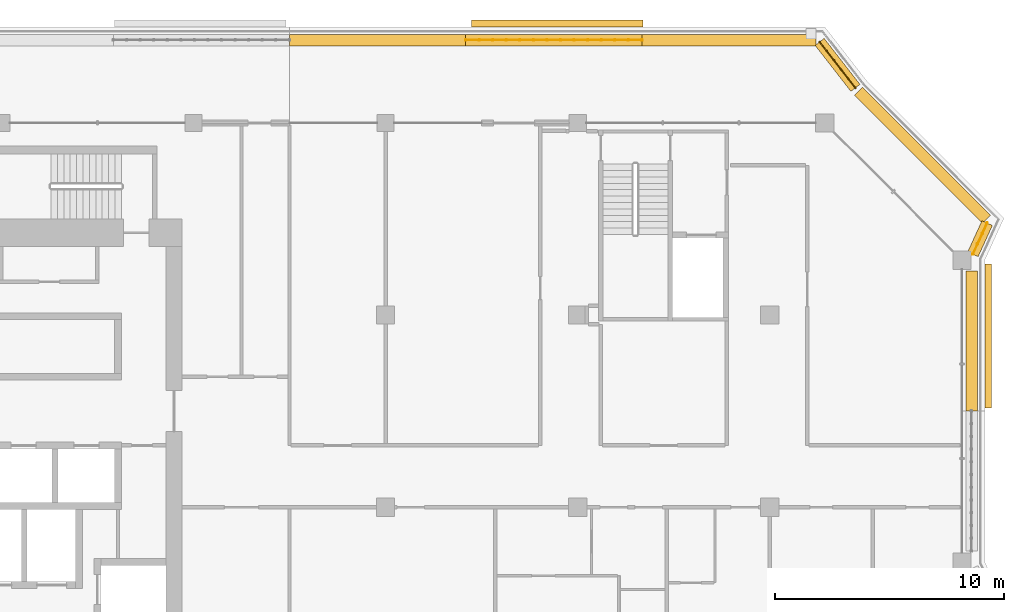
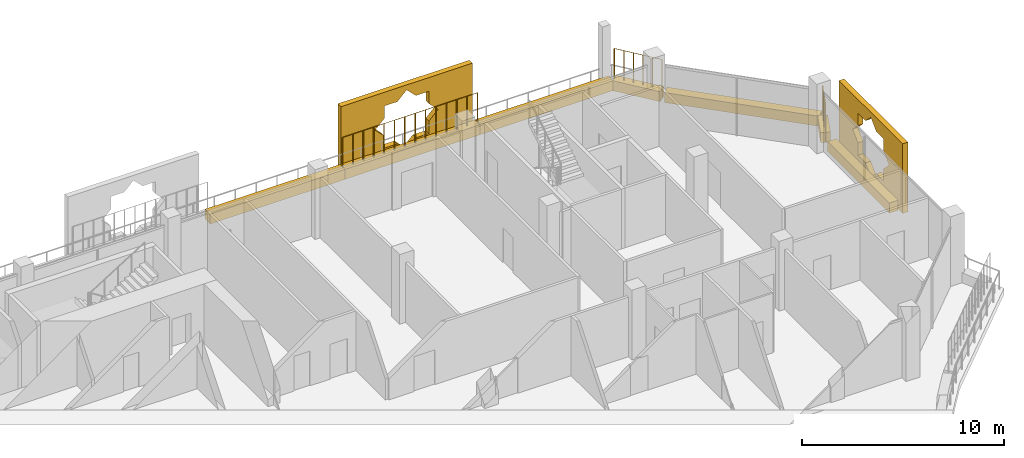
# One storey, part 21 of 21: 9 coverings, 3 railings.
"""IFC4 building model written with IfcOpenShell, lengths in metres."""

from ifc_helpers import new_model, si_unit, direction, frame, origin, origin_2d, place, context, subcontext, project, spatial, polyline, rectangle, circle, outline, extrude, material, material_profile, profile_set, type_object, element, save


model = new_model("IFC4")

# Units and contexts
model_context = context("Model", 3, precision=1e-05, world=origin(), true_north=direction((0.0, 1.0)))
body_context = subcontext(model_context, "Body", "Model", "MODEL_VIEW")
ifc_project = project(units=[si_unit("LENGTHUNIT", "METRE"), si_unit("AREAUNIT", "SQUARE_METRE"), si_unit("VOLUMEUNIT", "CUBIC_METRE"), si_unit("PLANEANGLEUNIT", "RADIAN"), si_unit("MASSUNIT", "GRAM", prefix="KILO")], contexts=[model_context])

# Site, building, storey
site_placement = place(None, origin())
site = spatial("IfcSite", under=ifc_project, at=site_placement, CompositionType="ELEMENT")
building_placement = place(site_placement, origin())
building = spatial("IfcBuilding", under=site, at=building_placement, Name="Kawkab Arch Medical Tower", CompositionType="ELEMENT")
storey_placement = place(building_placement, frame((0.0, 0.0, 315.39990234375)))
storey = spatial("IfcBuildingStorey", under=building, at=storey_placement, Name="L73", CompositionType="ELEMENT", Elevation=315.39990234375)

# Coverings
ifc_material_1 = material(Name="Bronze anodised aluminium mashrabiya panel, eight-point star pattern", Category="aluminium")
ifc_material_profile_1 = material_profile(ifc_material_1, outline(polyline([(-3.14990234375, -2.10009765625), (3.14990234375, -2.10009765625), (3.14990234375, 2.10009765625), (-3.14990234375, 2.10009765625), (-3.14990234375, -2.10009765625)]), holes=[polyline([(1.800048828125, 0.0), (1.272705078125, 0.527099609375), (1.272705078125, 1.272705078125), (0.527099609375, 1.272705078125), (0.0, 1.800048828125), (-0.527099609375, 1.272705078125), (-1.272705078125, 1.272705078125), (-1.272705078125, 0.527099609375), (-1.800048828125, 0.0), (-1.272705078125, -0.527099609375), (-1.272705078125, -1.272705078125), (-0.527099609375, -1.272705078125), (0.0, -1.800048828125), (0.527099609375, -1.272705078125), (1.272705078125, -1.272705078125), (1.272705078125, -0.527099609375), (1.800048828125, 0.0)])]), Name="Mashrabiya panel 6300x4200")
ifc_profile_set_1 = profile_set([ifc_material_profile_1], Name="Bronze anodised aluminium mashrabiya panel, eight-point star pattern")
covering_type_1 = type_object("IfcCoveringType", Name="Mashrabiya panel 6300 x 4200", PredefinedType="USERDEFINED", material=ifc_profile_set_1)
covering_1_placement = place(storey_placement, frame((59.800048828125, -9.31884765625, 1.7001953125), z_axis=(1.0, 0.0, 0.0), x_axis=(0.0, 1.0, 0.0)))
element("IfcCovering", 1, at=covering_1_placement, inside=storey, type_object=covering_type_1, Name="Mashrabiya panel L73.LOG-01-01.6", ObjectType="SCREEN", PredefinedType="USERDEFINED", context=body_context, shape_type="SweptSolid", body=[
    extrude(outline(polyline([(-3.14990234375, -2.10009765625), (3.14990234375, -2.10009765625), (3.14990234375, 2.10009765625), (-3.14990234375, 2.10009765625), (-3.14990234375, -2.10009765625)]), holes=[polyline([(1.800048828125, 0.0), (1.272705078125, 0.527099609375), (1.272705078125, 1.272705078125), (0.527099609375, 1.272705078125), (0.0, 1.800048828125), (-0.527099609375, 1.272705078125), (-1.272705078125, 1.272705078125), (-1.272705078125, 0.527099609375), (-1.800048828125, 0.0), (-1.272705078125, -0.527099609375), (-1.272705078125, -1.272705078125), (-0.527099609375, -1.272705078125), (0.0, -1.800048828125), (0.527099609375, -1.272705078125), (1.272705078125, -1.272705078125), (1.272705078125, -0.527099609375), (1.800048828125, 0.0)])]), origin(), (0.0, 0.0, 1.0), 0.300048828125),
])
ifc_material_2 = material(Name="Bronze anodised aluminium mashrabiya panel, eight-point star pattern", Category="aluminium")
ifc_material_profile_2 = material_profile(ifc_material_2, outline(polyline([(-3.75, -2.10009765625), (3.75, -2.10009765625), (3.75, 2.10009765625), (-3.75, 2.10009765625), (-3.75, -2.10009765625)]), holes=[polyline([(1.800048828125, 0.0), (1.272705078125, 0.527099609375), (1.272705078125, 1.272705078125), (0.527099609375, 1.272705078125), (0.0, 1.800048828125), (-0.527099609375, 1.272705078125), (-1.272705078125, 1.272705078125), (-1.272705078125, 0.527099609375), (-1.800048828125, 0.0), (-1.272705078125, -0.527099609375), (-1.272705078125, -1.272705078125), (-0.527099609375, -1.272705078125), (0.0, -1.800048828125), (0.527099609375, -1.272705078125), (1.272705078125, -1.272705078125), (1.272705078125, -0.527099609375), (1.800048828125, 0.0)])]), Name="Mashrabiya panel 7500x4200")
ifc_profile_set_2 = profile_set([ifc_material_profile_2], Name="Bronze anodised aluminium mashrabiya panel, eight-point star pattern")
covering_type_2 = type_object("IfcCoveringType", Name="Mashrabiya panel 7500 x 4200", PredefinedType="USERDEFINED", material=ifc_profile_set_2)
covering_2_placement = place(storey_placement, frame((41.09765625, 4.199951171875, 1.7001953125), z_axis=(0.0, 1.0, 0.0), x_axis=(-1.0, 0.0, 0.0)))
element("IfcCovering", 2, at=covering_2_placement, inside=storey, type_object=covering_type_2, Name="Mashrabiya panel L73.LOG-01-01.5", ObjectType="SCREEN", PredefinedType="USERDEFINED", context=body_context, shape_type="SweptSolid", body=[
    extrude(outline(polyline([(-3.75, -2.10009765625), (3.75, -2.10009765625), (3.75, 2.10009765625), (-3.75, 2.10009765625), (-3.75, -2.10009765625)]), holes=[polyline([(1.800048828125, 0.0), (1.272705078125, 0.527099609375), (1.272705078125, 1.272705078125), (0.527099609375, 1.272705078125), (0.0, 1.800048828125), (-0.527099609375, 1.272705078125), (-1.272705078125, 1.272705078125), (-1.272705078125, 0.527099609375), (-1.800048828125, 0.0), (-1.272705078125, -0.527099609375), (-1.272705078125, -1.272705078125), (-0.527099609375, -1.272705078125), (0.0, -1.800048828125), (0.527099609375, -1.272705078125), (1.272705078125, -1.272705078125), (1.272705078125, -0.527099609375), (1.800048828125, 0.0)])]), origin(), (0.0, 0.0, 1.0), 0.300048828125),
])
ifc_material_3 = material(Name="Planting soil in a precast trough", Category="concrete")
ifc_material_profile_3 = material_profile(ifc_material_3, rectangle(XDim=0.5, YDim=0.60009765625, at=origin_2d()), Name="Trough 500x600")
ifc_profile_set_3 = profile_set([ifc_material_profile_3], Name="Planting soil in a precast trough")
covering_type_3 = type_object("IfcCoveringType", Name="Planter trough 500 x 600", PredefinedType="USERDEFINED", material=ifc_profile_set_3)
covering_3_placement = place(storey_placement, frame((29.39990234375, 3.6201171875, 0.300048828125), z_axis=(1.0, 0.0, 0.0), x_axis=(0.0, 1.0, 0.0)))
element("IfcCovering", 3, at=covering_3_placement, inside=storey, type_object=covering_type_3, Name="Planter L73.LOG-01-01.16", ObjectType="PLANTER", PredefinedType="USERDEFINED", context=body_context, shape_type="SweptSolid", body=[
    extrude(rectangle(XDim=0.5, YDim=0.60009765625, at=origin_2d()), origin(), (0.0, 0.0, 1.0), 7.705078125),
])
covering_4_placement = place(storey_placement, frame((37.10498046875, 3.6201171875, 0.300048828125), z_axis=(1.0, 0.0, 0.0), x_axis=(0.0, 1.0, 0.0)))
element("IfcCovering", 4, at=covering_4_placement, inside=storey, type_object=covering_type_3, Name="Planter L73.LOG-01-01.17", ObjectType="PLANTER", PredefinedType="USERDEFINED", context=body_context, shape_type="SweptSolid", body=[
    extrude(rectangle(XDim=0.5, YDim=0.60009765625, at=origin_2d()), origin(), (0.0, 0.0, 1.0), 7.7060546875),
])
covering_5_placement = place(storey_placement, frame((44.81103515625, 3.6201171875, 0.300048828125), z_axis=(1.0, 0.0, 0.0), x_axis=(0.0, 1.0, 0.0)))
element("IfcCovering", 5, at=covering_5_placement, inside=storey, type_object=covering_type_3, Name="Planter L73.LOG-01-01.18", ObjectType="PLANTER", PredefinedType="USERDEFINED", context=body_context, shape_type="SweptSolid", body=[
    extrude(rectangle(XDim=0.5, YDim=0.60009765625, at=origin_2d()), origin(), (0.0, 0.0, 1.0), 7.60498046875),
])
covering_6_placement = place(storey_placement, frame((52.577880859375, 3.541015625, 0.300048828125), z_axis=(0.614099956103, -0.789228258436, 0.0), x_axis=(0.789228258436, 0.614099956103, 0.0)))
element("IfcCovering", 6, at=covering_6_placement, inside=storey, type_object=covering_type_3, Name="Planter L73.LOG-01-01.19", ObjectType="PLANTER", PredefinedType="USERDEFINED", context=body_context, shape_type="SweptSolid", body=[
    extrude(rectangle(XDim=0.5, YDim=0.60009765625, at=origin_2d()), origin(), (0.0, 0.0, 1.0), 2.545654296875),
])
covering_7_placement = place(storey_placement, frame((54.27294921875, 1.383056640625, 0.300048828125), z_axis=(0.707106781187, -0.707106781187, 0.0), x_axis=(0.707106781187, 0.707106781187, 0.0)))
element("IfcCovering", 7, at=covering_7_placement, inside=storey, type_object=covering_type_3, Name="Planter L73.LOG-01-01.20", ObjectType="PLANTER", PredefinedType="USERDEFINED", context=body_context, shape_type="SweptSolid", body=[
    extrude(rectangle(XDim=0.5, YDim=0.60009765625, at=origin_2d()), origin(), (0.0, 0.0, 1.0), 7.919677734375),
])
covering_8_placement = place(storey_placement, frame((59.902099609375, -4.37890625, 0.300048828125), z_axis=(-0.415189748133, -0.909734836667, 0.0), x_axis=(0.909734836667, -0.415189748133, 0.0)))
element("IfcCovering", 8, at=covering_8_placement, inside=storey, type_object=covering_type_3, Name="Planter L73.LOG-01-01.21", ObjectType="PLANTER", PredefinedType="USERDEFINED", context=body_context, shape_type="SweptSolid", body=[
    extrude(rectangle(XDim=0.5, YDim=0.60009765625, at=origin_2d()), origin(), (0.0, 0.0, 1.0), 1.498291015625),
])
covering_9_placement = place(storey_placement, frame((59.219970703125, -6.47998046875, 0.300048828125), z_axis=(0.0, -1.0, 0.0), x_axis=(1.0, 0.0, 0.0)))
element("IfcCovering", 9, at=covering_9_placement, inside=storey, type_object=covering_type_3, Name="Planter L73.LOG-01-01.22", ObjectType="PLANTER", PredefinedType="USERDEFINED", context=body_context, shape_type="SweptSolid", body=[
    extrude(rectangle(XDim=0.5, YDim=0.60009765625, at=origin_2d()), origin(), (0.0, 0.0, 1.0), 6.1201171875),
])

# Railings
ifc_material_4 = material(Name="Bronze anodised aluminium trellis for climbing plants", Category="aluminium")
railing_type = type_object("IfcRailingType", Name="Planting trellis 2400", PredefinedType="USERDEFINED", material=ifc_material_4)
railing_1_placement = place(storey_placement, frame((37.10498046875, 3.6201171875, 0.0)))
element("IfcRailing", 10, at=railing_1_placement, inside=storey, type_object=railing_type, Name="Planting trellis L73.LOG-01-01.17", ObjectType="TRELLIS", PredefinedType="USERDEFINED", context=body_context, shape_type="SweptSolid", body=[
    extrude(circle(Radius=0.01513671875, at=origin_2d()), frame((0.0, 0.0, 2.384765625), z_axis=(1.0, 0.0, 0.0), x_axis=(0.0, 1.0, 0.0)), (0.0, 0.0, 1.0), 7.7060546875),
    extrude(circle(Radius=0.030029296875, at=origin_2d()), origin(), (0.0, 0.0, 1.0), 2.369873046875),
    extrude(circle(Radius=0.030029296875, at=origin_2d()), frame((0.5927734375, 0.0, 0.0)), (0.0, 0.0, 1.0), 2.369873046875),
    extrude(circle(Radius=0.030029296875, at=origin_2d()), frame((1.185546875, 0.0, 0.0)), (0.0, 0.0, 1.0), 2.369873046875),
    extrude(circle(Radius=0.030029296875, at=origin_2d()), frame((1.7783203125, 0.0, 0.0)), (0.0, 0.0, 1.0), 2.369873046875),
    extrude(circle(Radius=0.030029296875, at=origin_2d()), frame((2.37109375, 0.0, 0.0)), (0.0, 0.0, 1.0), 2.369873046875),
    extrude(circle(Radius=0.030029296875, at=origin_2d()), frame((2.9638671875, 0.0, 0.0)), (0.0, 0.0, 1.0), 2.369873046875),
    extrude(circle(Radius=0.030029296875, at=origin_2d()), frame((3.556640625, 0.0, 0.0)), (0.0, 0.0, 1.0), 2.369873046875),
    extrude(circle(Radius=0.030029296875, at=origin_2d()), frame((4.1494140625, 0.0, 0.0)), (0.0, 0.0, 1.0), 2.369873046875),
    extrude(circle(Radius=0.030029296875, at=origin_2d()), frame((4.7421875, 0.0, 0.0)), (0.0, 0.0, 1.0), 2.369873046875),
    extrude(circle(Radius=0.030029296875, at=origin_2d()), frame((5.3349609375, 0.0, 0.0)), (0.0, 0.0, 1.0), 2.369873046875),
    extrude(circle(Radius=0.030029296875, at=origin_2d()), frame((5.927734375, 0.0, 0.0)), (0.0, 0.0, 1.0), 2.369873046875),
    extrude(circle(Radius=0.030029296875, at=origin_2d()), frame((6.5205078125, 0.0, 0.0)), (0.0, 0.0, 1.0), 2.369873046875),
    extrude(circle(Radius=0.030029296875, at=origin_2d()), frame((7.11328125, 0.0, 0.0)), (0.0, 0.0, 1.0), 2.369873046875),
    extrude(circle(Radius=0.030029296875, at=origin_2d()), frame((7.7060546875, 0.0, 0.0)), (0.0, 0.0, 1.0), 2.369873046875),
])
railing_2_placement = place(storey_placement, frame((52.577880859375, 3.541015625, 0.0)))
element("IfcRailing", 11, at=railing_2_placement, inside=storey, type_object=railing_type, Name="Planting trellis L73.LOG-01-01.19", ObjectType="TRELLIS", PredefinedType="USERDEFINED", context=body_context, shape_type="SweptSolid", body=[
    extrude(circle(Radius=0.01513671875, at=origin_2d()), frame((0.0, 0.0, 2.384765625), z_axis=(0.614099956103, -0.789228258436, 0.0), x_axis=(0.789228258436, 0.614099956103, 0.0)), (0.0, 0.0, 1.0), 2.545654296875),
    extrude(circle(Radius=0.030029296875, at=origin_2d()), origin(), (0.0, 0.0, 1.0), 2.369873046875),
    extrude(circle(Radius=0.030029296875, at=origin_2d()), frame((0.312744140625, -0.40185546875, 0.0)), (0.0, 0.0, 1.0), 2.369873046875),
    extrude(circle(Radius=0.030029296875, at=origin_2d()), frame((0.625244140625, -0.8037109375, 0.0)), (0.0, 0.0, 1.0), 2.369873046875),
    extrude(circle(Radius=0.030029296875, at=origin_2d()), frame((0.93798828125, -1.205322265625, 0.0)), (0.0, 0.0, 1.0), 2.369873046875),
    extrude(circle(Radius=0.030029296875, at=origin_2d()), frame((1.25048828125, -1.607177734375, 0.0)), (0.0, 0.0, 1.0), 2.369873046875),
    extrude(circle(Radius=0.030029296875, at=origin_2d()), frame((1.563232421875, -2.009033203125, 0.0)), (0.0, 0.0, 1.0), 2.369873046875),
])
railing_3_placement = place(storey_placement, frame((59.902099609375, -4.37890625, 0.0)))
element("IfcRailing", 12, at=railing_3_placement, inside=storey, type_object=railing_type, Name="Planting trellis L73.LOG-01-01.21", ObjectType="TRELLIS", PredefinedType="USERDEFINED", context=body_context, shape_type="SweptSolid", body=[
    extrude(circle(Radius=0.01513671875, at=origin_2d()), frame((0.0, 0.0, 2.384765625), z_axis=(-0.415189748133, -0.909734836667, 0.0), x_axis=(0.909734836667, -0.415189748133, 0.0)), (0.0, 0.0, 1.0), 1.498291015625),
    extrude(circle(Radius=0.030029296875, at=origin_2d()), origin(), (0.0, 0.0, 1.0), 2.369873046875),
    extrude(circle(Radius=0.030029296875, at=origin_2d()), frame((-0.207275390625, -0.454345703125, 0.0)), (0.0, 0.0, 1.0), 2.369873046875),
    extrude(circle(Radius=0.030029296875, at=origin_2d()), frame((-0.414794921875, -0.90869140625, 0.0)), (0.0, 0.0, 1.0), 2.369873046875),
    extrude(circle(Radius=0.030029296875, at=origin_2d()), frame((-0.6220703125, -1.363037109375, 0.0)), (0.0, 0.0, 1.0), 2.369873046875),
])

save(model, "model.ifc")
